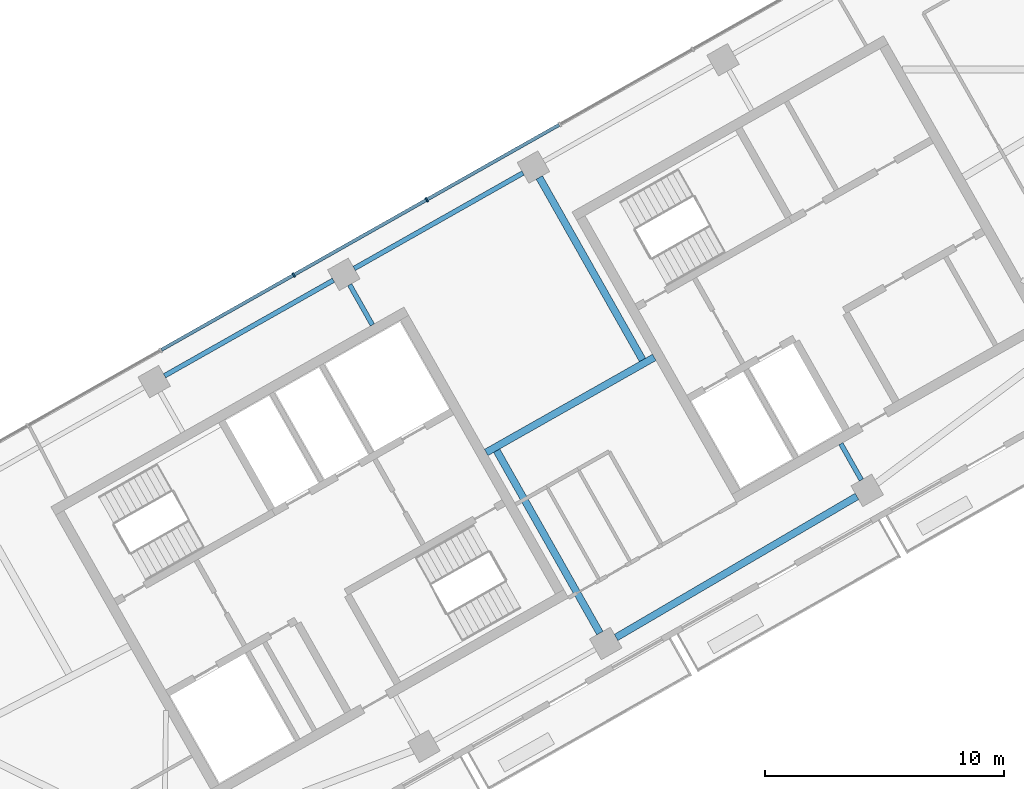
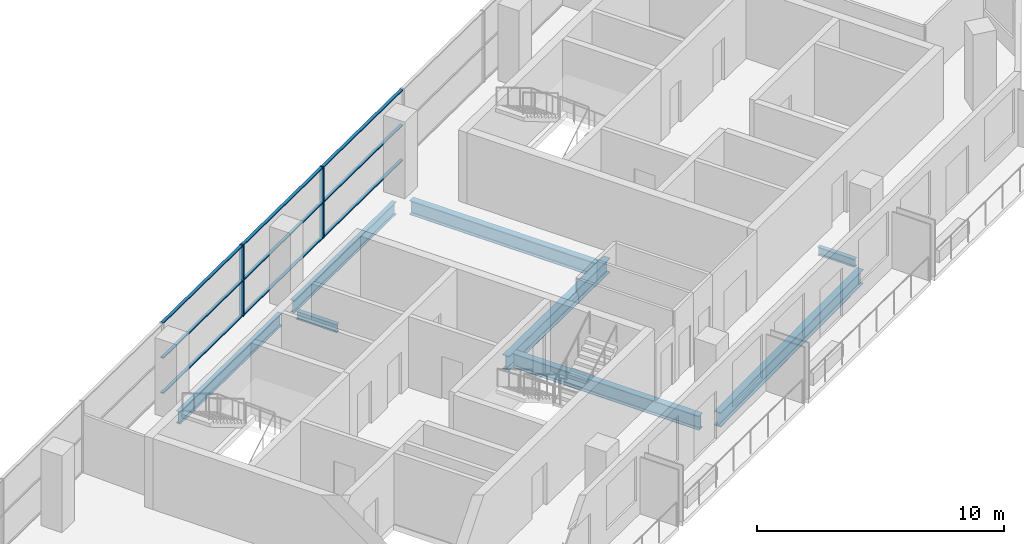
# One storey, part 3 of 10: 11 members, 8 beams, 1 element without a shape of its own.
"""IFC4 building model written with IfcOpenShell, lengths in metres."""

from ifc_helpers import new_model, si_unit, direction, frame, origin, origin_2d, place, context, subcontext, project, spatial, rectangle, i_section, extrude, material, material_profile, profile_set, type_object, element, aggregate, save


model = new_model("IFC4")

# Units and contexts
model_context = context("Model", 3, precision=1e-05, world=origin(), true_north=direction((0.0, 1.0)))
body_context = subcontext(model_context, "Body", "Model", "MODEL_VIEW")
ifc_project = project(units=[si_unit("LENGTHUNIT", "METRE"), si_unit("AREAUNIT", "SQUARE_METRE"), si_unit("VOLUMEUNIT", "CUBIC_METRE"), si_unit("PLANEANGLEUNIT", "RADIAN"), si_unit("MASSUNIT", "GRAM", prefix="KILO")], contexts=[model_context])

# Site, building, storey
site_placement = place(None, origin())
site = spatial("IfcSite", under=ifc_project, at=site_placement, CompositionType="ELEMENT")
building_placement = place(site_placement, origin())
building = spatial("IfcBuilding", under=site, at=building_placement, Name="Binnacle Exchange Tower", CompositionType="ELEMENT")
storey_placement = place(building_placement, frame((0.0, 0.0, 324.10009765625)))
storey = spatial("IfcBuildingStorey", under=building, at=storey_placement, Name="L73", CompositionType="ELEMENT", Elevation=324.10009765625)

# Curtain wall, members
ifc_material_1 = material(Name="Bronze anodised aluminium frame", Category="aluminium")
curtain_wall_type = type_object("IfcCurtainWallType", Name="External wall - curtain wall executive floors", PredefinedType="NOTDEFINED", material=ifc_material_1)
curtain_wall_placement = place(storey_placement, origin())
curtain_wall = element("IfcCurtainWall", 1, at=curtain_wall_placement, inside=storey, type_object=curtain_wall_type, Name="External wall curtain wall CW4-H03 L73", PredefinedType="NOTDEFINED")
ifc_material_profile_1 = material_profile(ifc_material_1, rectangle(XDim=0.199951171875, YDim=0.070068359375, at=origin_2d()), Name="AL 70x200")
ifc_profile_set_1 = profile_set([ifc_material_profile_1], Name="Bronze anodised aluminium frame")
member_type_1 = type_object("IfcMemberType", Name="CW4 MULLION 70x200", PredefinedType="MULLION", material=ifc_profile_set_1)
member_1_placement = place(storey_placement, frame((-30.85791015625, 54.541259765625, 0.0), z_axis=(0.0, 0.0, 1.0), x_axis=(0.492423763019, -0.870355581136, 0.0)))
member_1 = element("IfcMember", 2, at=member_1_placement, type_object=member_type_1, Name="CW4-H03 mullion 6", PredefinedType="MULLION", context=body_context, shape_type="SweptSolid", body=[
    extrude(rectangle(XDim=0.199951171875, YDim=0.070068359375, at=origin_2d()), origin(), (0.0, 0.0, 1.0), 3.52001953125),
])
member_2_placement = place(storey_placement, frame((-36.432861328125, 51.38720703125, 0.0), z_axis=(0.0, 0.0, 1.0), x_axis=(0.492423763019, -0.870355581136, 0.0)))
member_2 = element("IfcMember", 3, at=member_2_placement, type_object=member_type_1, Name="CW4-H03 mullion 7", PredefinedType="MULLION", context=body_context, shape_type="SweptSolid", body=[
    extrude(rectangle(XDim=0.199951171875, YDim=0.070068359375, at=origin_2d()), origin(), (0.0, 0.0, 1.0), 3.52001953125),
])
ifc_material_profile_2 = material_profile(ifc_material_1, rectangle(XDim=0.139892578125, YDim=0.050048828125, at=origin_2d()), Name="AL 140x50")
ifc_profile_set_2 = profile_set([ifc_material_profile_2], Name="Bronze anodised aluminium frame")
member_type_2 = type_object("IfcMemberType", Name="CW4 TRANSOM 50x140", PredefinedType="USERDEFINED", material=ifc_profile_set_2)
member_3_placement = place(storey_placement, frame((-25.3134765625, 57.67822265625, 0.02490234375), z_axis=(-0.870364679821, -0.492407680809, 0.0), x_axis=(0.492407680809, -0.870364679821, 0.0)))
member_3 = element("IfcMember", 4, at=member_3_placement, type_object=member_type_2, Name="CW4-H03 transom 5.1", ObjectType="TRANSOM", PredefinedType="USERDEFINED", context=body_context, shape_type="SweptSolid", body=[
    extrude(rectangle(XDim=0.139892578125, YDim=0.050048828125, at=origin_2d()), origin(), (0.0, 0.0, 1.0), 6.33544921875),
])
member_4_placement = place(storey_placement, frame((-25.3134765625, 57.67822265625, 1.760009765625), z_axis=(-0.870364679821, -0.492407680809, 0.0), x_axis=(0.492407680809, -0.870364679821, 0.0)))
member_4 = element("IfcMember", 5, at=member_4_placement, type_object=member_type_2, Name="CW4-H03 transom 5.2", ObjectType="TRANSOM", PredefinedType="USERDEFINED", context=body_context, shape_type="SweptSolid", body=[
    extrude(rectangle(XDim=0.139892578125, YDim=0.050048828125, at=origin_2d()), origin(), (0.0, 0.0, 1.0), 6.33544921875),
])
member_5_placement = place(storey_placement, frame((-25.3134765625, 57.67822265625, 3.494873046875), z_axis=(-0.870364679821, -0.492407680809, 0.0), x_axis=(0.492407680809, -0.870364679821, 0.0)))
member_5 = element("IfcMember", 6, at=member_5_placement, type_object=member_type_2, Name="CW4-H03 transom 5.3", ObjectType="TRANSOM", PredefinedType="USERDEFINED", context=body_context, shape_type="SweptSolid", body=[
    extrude(rectangle(XDim=0.139892578125, YDim=0.050048828125, at=origin_2d()), origin(), (0.0, 0.0, 1.0), 6.33544921875),
])
member_6_placement = place(storey_placement, frame((-30.888427734375, 54.524169921875, 0.02490234375), z_axis=(-0.870355335808, -0.492424196633, 0.0), x_axis=(0.492424196633, -0.870355335808, 0.0)))
member_6 = element("IfcMember", 7, at=member_6_placement, type_object=member_type_2, Name="CW4-H03 transom 6.1", ObjectType="TRANSOM", PredefinedType="USERDEFINED", context=body_context, shape_type="SweptSolid", body=[
    extrude(rectangle(XDim=0.139892578125, YDim=0.050048828125, at=origin_2d()), origin(), (0.0, 0.0, 1.0), 6.335205078125),
])
member_7_placement = place(storey_placement, frame((-30.888427734375, 54.524169921875, 1.760009765625), z_axis=(-0.870355335808, -0.492424196633, 0.0), x_axis=(0.492424196633, -0.870355335808, 0.0)))
member_7 = element("IfcMember", 8, at=member_7_placement, type_object=member_type_2, Name="CW4-H03 transom 6.2", ObjectType="TRANSOM", PredefinedType="USERDEFINED", context=body_context, shape_type="SweptSolid", body=[
    extrude(rectangle(XDim=0.139892578125, YDim=0.050048828125, at=origin_2d()), origin(), (0.0, 0.0, 1.0), 6.335205078125),
])
member_8_placement = place(storey_placement, frame((-30.888427734375, 54.524169921875, 3.494873046875), z_axis=(-0.870355335808, -0.492424196633, 0.0), x_axis=(0.492424196633, -0.870355335808, 0.0)))
member_8 = element("IfcMember", 9, at=member_8_placement, type_object=member_type_2, Name="CW4-H03 transom 6.3", ObjectType="TRANSOM", PredefinedType="USERDEFINED", context=body_context, shape_type="SweptSolid", body=[
    extrude(rectangle(XDim=0.139892578125, YDim=0.050048828125, at=origin_2d()), origin(), (0.0, 0.0, 1.0), 6.335205078125),
])
member_9_placement = place(storey_placement, frame((-36.46337890625, 51.3701171875, 0.02490234375), z_axis=(-0.870338819343, -0.492453388195, 0.0), x_axis=(0.492453388195, -0.870338819343, 0.0)))
member_9 = element("IfcMember", 10, at=member_9_placement, type_object=member_type_2, Name="CW4-H03 transom 7.1", ObjectType="TRANSOM", PredefinedType="USERDEFINED", context=body_context, shape_type="SweptSolid", body=[
    extrude(rectangle(XDim=0.139892578125, YDim=0.050048828125, at=origin_2d()), origin(), (0.0, 0.0, 1.0), 6.33544921875),
])
member_10_placement = place(storey_placement, frame((-36.46337890625, 51.3701171875, 1.760009765625), z_axis=(-0.870338819343, -0.492453388195, 0.0), x_axis=(0.492453388195, -0.870338819343, 0.0)))
member_10 = element("IfcMember", 11, at=member_10_placement, type_object=member_type_2, Name="CW4-H03 transom 7.2", ObjectType="TRANSOM", PredefinedType="USERDEFINED", context=body_context, shape_type="SweptSolid", body=[
    extrude(rectangle(XDim=0.139892578125, YDim=0.050048828125, at=origin_2d()), origin(), (0.0, 0.0, 1.0), 6.33544921875),
])
member_11_placement = place(storey_placement, frame((-36.46337890625, 51.3701171875, 3.494873046875), z_axis=(-0.870338819343, -0.492453388195, 0.0), x_axis=(0.492453388195, -0.870338819343, 0.0)))
member_11 = element("IfcMember", 12, at=member_11_placement, type_object=member_type_2, Name="CW4-H03 transom 7.3", ObjectType="TRANSOM", PredefinedType="USERDEFINED", context=body_context, shape_type="SweptSolid", body=[
    extrude(rectangle(XDim=0.139892578125, YDim=0.050048828125, at=origin_2d()), origin(), (0.0, 0.0, 1.0), 6.33544921875),
])
aggregate(curtain_wall, [member_1, member_2, member_3, member_4, member_5, member_6, member_7, member_8, member_9, member_10, member_11])

# Beams
ifc_material_2 = material(Name="Steel S355 (SHN355)", Category="steel")
ifc_material_profile_3 = material_profile(ifc_material_2, i_section(OverallWidth=0.201904296875, OverallDepth=0.612060546875, WebThickness=0.012939453125, FlangeThickness=0.02294921875, FilletRadius=0.02197265625, at=origin_2d()), Name="H 612x202x13x23")
ifc_profile_set_3 = profile_set([ifc_material_profile_3], Name="Steel S355 (SHN355)")
beam_type_1 = type_object("IfcBeamType", Name="Edge girder H 612x202x13x23 Steel S355 (SHN355)", PredefinedType="SPANDREL", material=ifc_profile_set_3)
beam_1_placement = place(storey_placement, frame((-34.76904296875, 51.168212890625, -0.586181640625), z_axis=(-0.870345742373, -0.492441152558, 0.0), x_axis=(0.492441152558, -0.870345742373, 0.0)))
element("IfcBeam", 13, at=beam_1_placement, inside=storey, type_object=beam_type_1, Name="S:BM:edge:L73:009", PredefinedType="SPANDREL", context=body_context, shape_type="SweptSolid", body=[
    extrude(i_section(OverallWidth=0.201904296875, OverallDepth=0.612060546875, WebThickness=0.012939453125, FlangeThickness=0.02294921875, FilletRadius=0.02197265625, at=origin_2d()), origin(), (0.0, 0.0, 1.0), 8.129638671875),
])
beam_2_placement = place(storey_placement, frame((-26.82275390625, 55.6640625, -0.586181640625), z_axis=(-0.870353024448, -0.49242828192, 0.0), x_axis=(0.49242828192, -0.870353024448, 0.0)))
element("IfcBeam", 14, at=beam_2_placement, inside=storey, type_object=beam_type_1, Name="S:BM:edge:L73:011", PredefinedType="SPANDREL", context=body_context, shape_type="SweptSolid", body=[
    extrude(i_section(OverallWidth=0.201904296875, OverallDepth=0.612060546875, WebThickness=0.012939453125, FlangeThickness=0.02294921875, FilletRadius=0.02197265625, at=origin_2d()), origin(), (0.0, 0.0, 1.0), 8.1298828125),
])
ifc_material_profile_4 = material_profile(ifc_material_2, i_section(OverallWidth=0.302001953125, OverallDepth=0.7080078125, WebThickness=0.014892578125, FlangeThickness=0.028076171875, FilletRadius=0.028076171875, at=origin_2d()), Name="H 708x302x15x28")
ifc_profile_set_4 = profile_set([ifc_material_profile_4], Name="Steel S355 (SHN355)")
beam_type_2 = type_object("IfcBeamType", Name="Edge girder H 708x302x15x28 Steel S355 (SHN355)", PredefinedType="SPANDREL", material=ifc_profile_set_4)
beam_3_placement = place(storey_placement, frame((-22.924560546875, 36.198974609375, -0.634033203125), z_axis=(0.862883491145, 0.505402889494, 0.0), x_axis=(-0.505402889494, 0.862883491145, 0.0)))
element("IfcBeam", 15, at=beam_3_placement, inside=storey, type_object=beam_type_2, Name="S:BM:edge:L73:012", PredefinedType="SPANDREL", context=body_context, shape_type="SweptSolid", body=[
    extrude(i_section(OverallWidth=0.302001953125, OverallDepth=0.7080078125, WebThickness=0.014892578125, FlangeThickness=0.028076171875, FilletRadius=0.028076171875, at=origin_2d()), origin(), (0.0, 0.0, 1.0), 11.69677734375),
])
ifc_material_profile_5 = material_profile(ifc_material_2, i_section(OverallWidth=0.199951171875, OverallDepth=0.39990234375, WebThickness=0.008056640625, FlangeThickness=0.012939453125, FilletRadius=0.01611328125, at=origin_2d()), Name="H 400x200x8x13")
ifc_profile_set_5 = profile_set([ifc_material_profile_5], Name="Steel S355 (SHN355)")
beam_type_3 = type_object("IfcBeamType", Name="Floor beam H 400x200x8x13 Steel S355 (SHN355)", PredefinedType="BEAM", material=ifc_profile_set_5)
beam_4_placement = place(storey_placement, frame((-34.087646484375, 50.979248046875, -0.47998046875), z_axis=(0.492464757892, -0.870332386065, 0.0), x_axis=(0.870332386065, 0.492464757892, 0.0)))
element("IfcBeam", 16, at=beam_4_placement, inside=storey, type_object=beam_type_3, Name="S:BM:cross:L73:022", PredefinedType="BEAM", context=body_context, shape_type="SweptSolid", body=[
    extrude(i_section(OverallWidth=0.199951171875, OverallDepth=0.39990234375, WebThickness=0.008056640625, FlangeThickness=0.012939453125, FilletRadius=0.01611328125, at=origin_2d()), origin(), (0.0, 0.0, 1.0), 1.934326171875),
])
beam_5_placement = place(storey_placement, frame((-12.646240234375, 42.79833984375, -0.47998046875), z_axis=(-0.492426196623, 0.870354204264, 0.0), x_axis=(-0.870354204264, -0.492426196623, 0.0)))
element("IfcBeam", 17, at=beam_5_placement, inside=storey, type_object=beam_type_3, Name="S:BM:cross:L73:027", PredefinedType="BEAM", context=body_context, shape_type="SweptSolid", body=[
    extrude(i_section(OverallWidth=0.199951171875, OverallDepth=0.39990234375, WebThickness=0.008056640625, FlangeThickness=0.012939453125, FilletRadius=0.01611328125, at=origin_2d()), origin(), (0.0, 0.0, 1.0), 1.744140625),
])
ifc_material_profile_6 = material_profile(ifc_material_2, i_section(OverallWidth=0.302001953125, OverallDepth=0.7080078125, WebThickness=0.014892578125, FlangeThickness=0.028076171875, FilletRadius=0.028076171875, at=origin_2d()), Name="H 708x302x15x28")
ifc_profile_set_6 = profile_set([ifc_material_profile_6], Name="Steel S355 (SHN355)")
beam_type_4 = type_object("IfcBeamType", Name="Floor beam H 708x302x15x28 Steel S355 (SHN355)", PredefinedType="BEAM", material=ifc_profile_set_6)
for number, where, z_axis, x_axis, name in (
    (18, (-26.141357421875, 55.47509765625, -0.634033203125), (0.492407973512, -0.870364514225, 0.0), (0.870364514225, 0.492407973512, 0.0), "S:BM:cross:L73:024"),
    (19, (-23.602294921875, 36.38134765625, -0.634033203125), (-0.492407973512, 0.870364514225, 0.0), (-0.870364514225, -0.492407973512, 0.0), "S:BM:cross:L73:025"),
):
    element("IfcBeam", number, at=place(storey_placement, frame(where, z_axis=z_axis, x_axis=x_axis)), inside=storey, type_object=beam_type_4, Name=name, PredefinedType="BEAM", context=body_context, shape_type="SweptSolid", body=[
        extrude(i_section(OverallWidth=0.302001953125, OverallDepth=0.7080078125, WebThickness=0.014892578125, FlangeThickness=0.028076171875, FilletRadius=0.028076171875, at=origin_2d()), origin(), (0.0, 0.0, 1.0), 8.7841796875),
    ])
ifc_material_profile_7 = material_profile(ifc_material_2, i_section(OverallWidth=0.302001953125, OverallDepth=0.7080078125, WebThickness=0.014892578125, FlangeThickness=0.028076171875, FilletRadius=0.028076171875, at=origin_2d()), Name="H 708x302x15x28")
ifc_profile_set_7 = profile_set([ifc_material_profile_7], Name="Steel S355 (SHN355)")
beam_type_5 = type_object("IfcBeamType", Name="Spine girder H 708x302x15x28 Steel S355 (SHN355)", PredefinedType="BEAM", material=ifc_profile_set_7)
beam_6_placement = place(storey_placement, frame((-28.365478515625, 43.951416015625, -0.634033203125), z_axis=(0.870350319004, 0.492433063684, 0.0), x_axis=(-0.492433063684, 0.870350319004, 0.0)))
element("IfcBeam", 20, at=beam_6_placement, inside=storey, type_object=beam_type_5, Name="S:BM:spine:L73:002", PredefinedType="BEAM", context=body_context, shape_type="SweptSolid", body=[
    extrude(i_section(OverallWidth=0.302001953125, OverallDepth=0.7080078125, WebThickness=0.014892578125, FlangeThickness=0.028076171875, FilletRadius=0.028076171875, at=origin_2d()), origin(), (0.0, 0.0, 1.0), 8.0908203125),
])

save(model, "model.ifc")
